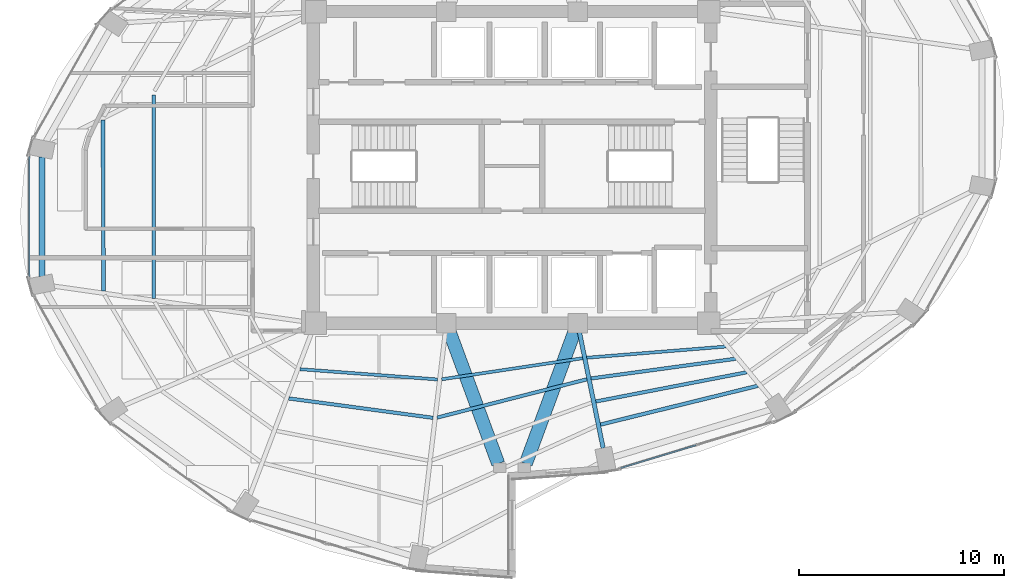
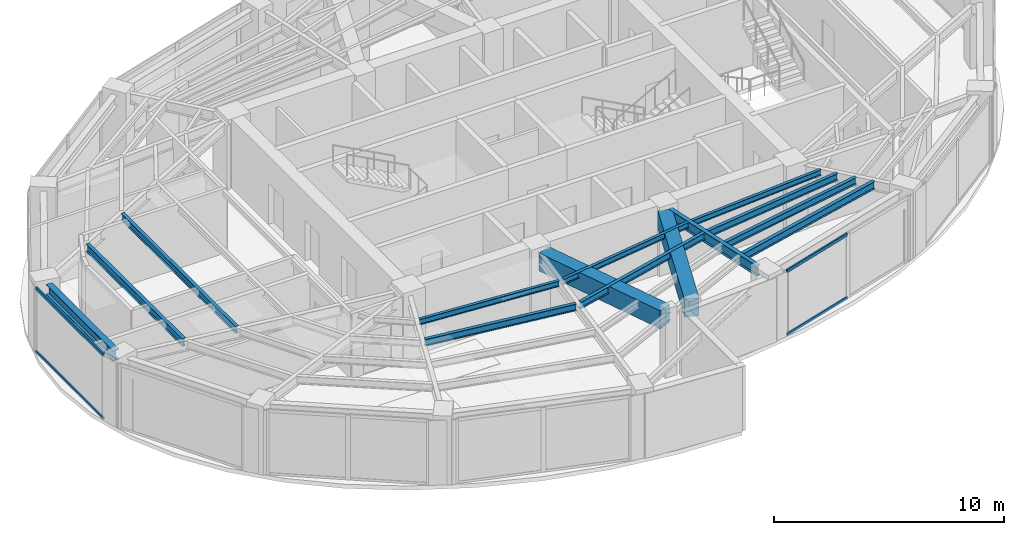
# One storey, part 5 of 20: 14 beams, 4 members, 2 elements without a shape of their own.
"""IFC4 building model written with IfcOpenShell, lengths in metres."""

from ifc_helpers import new_model, si_unit, direction, frame, origin, origin_2d, place, context, subcontext, project, spatial, rectangle, hollow_rectangle, i_section, extrude, material, layer, layer_set, material_profile, profile_set, type_object, element, aggregate, save


model = new_model("IFC4")

# Units and contexts
model_context = context("Model", 3, precision=1e-05, world=origin(), true_north=direction((0.0, 1.0)))
body_context = subcontext(model_context, "Body", "Model", "MODEL_VIEW")
ifc_project = project(units=[si_unit("LENGTHUNIT", "METRE"), si_unit("AREAUNIT", "SQUARE_METRE"), si_unit("VOLUMEUNIT", "CUBIC_METRE"), si_unit("PLANEANGLEUNIT", "RADIAN"), si_unit("MASSUNIT", "GRAM", prefix="KILO")], contexts=[model_context])

# Site, building, storey
site_placement = place(None, origin())
site = spatial("IfcSite", under=ifc_project, at=site_placement, CompositionType="ELEMENT")
building_placement = place(site_placement, origin())
building = spatial("IfcBuilding", under=site, at=building_placement, Name="Lazwardi Medical Tower", CompositionType="ELEMENT")
storey_placement = place(building_placement, frame((0.0, 0.0, 174.76806640625)))
storey = spatial("IfcBuildingStorey", under=building, at=storey_placement, Name="L45", CompositionType="ELEMENT", Elevation=174.76806640625)

# Beams
ifc_material_1 = material(Name="Concrete C60/75", Category="concrete")
ifc_material_profile_1 = material_profile(ifc_material_1, rectangle(XDim=0.64990234375, YDim=0.949951171875, at=origin_2d()), Name="RC 650x950")
ifc_profile_set_1 = profile_set([ifc_material_profile_1], Name="Concrete C60/75")
beam_type_1 = type_object("IfcBeamType", Name="BM-CB-RC2", PredefinedType="LINTEL", material=ifc_profile_set_1)
for number, where, z_axis, x_axis, name in (
    (1, (32.959228515625, 19.968505859375, 2.952880859375), (0.34601281054, -0.938229787921, 0.0), (0.938229787921, 0.34601281054, 0.0), "Core coupling lintel CB-02 PL3 L45"),
    (2, (39.040771484375, 19.968505859375, 2.952880859375), (-0.34601281054, -0.938229787921, 0.0), (0.938229787921, -0.34601281054, 0.0), "Core coupling lintel CB-02 PL4 L45"),
):
    element("IfcBeam", number, at=place(storey_placement, frame(where, z_axis=z_axis, x_axis=x_axis)), inside=storey, type_object=beam_type_1, Name=name, PredefinedType="LINTEL", context=body_context, shape_type="SweptSolid", body=[
        extrude(rectangle(XDim=0.64990234375, YDim=0.949951171875, at=origin_2d()), origin(), (0.0, 0.0, 1.0), 6.84423828125),
    ])
ifc_material_2 = material(Name="Steel S355", Category="steel")
ifc_material_profile_2 = material_profile(ifc_material_2, i_section(OverallWidth=0.300048828125, OverallDepth=0.550048828125, WebThickness=0.014892578125, FlangeThickness=0.029052734375, at=origin_2d()), Name="HEB 550")
ifc_profile_set_2 = profile_set([ifc_material_profile_2], Name="Steel S355")
beam_type_2 = type_object("IfcBeamType", Name="BM-RB-Z3", PredefinedType="BEAM", material=ifc_profile_set_2)
beam_1_placement = place(storey_placement, frame((13.07421875, 28.51171875, 3.15283203125), z_axis=(0.0, -1.0, 0.0), x_axis=(1.0, 0.0, 0.0)))
element("IfcBeam", 3, at=beam_1_placement, inside=storey, type_object=beam_type_2, Name="Ring beam RB-04 B12 L45", PredefinedType="BEAM", context=body_context, shape_type="SweptSolid", body=[
    extrude(i_section(OverallWidth=0.300048828125, OverallDepth=0.550048828125, WebThickness=0.014892578125, FlangeThickness=0.029052734375, at=origin_2d()), origin(), (0.0, 0.0, 1.0), 5.823486328125),
])
ifc_material_profile_3 = material_profile(ifc_material_2, i_section(OverallWidth=0.2099609375, OverallDepth=0.550048828125, WebThickness=0.010986328125, FlangeThickness=0.01708984375, at=origin_2d()), Name="IPE 550")
ifc_profile_set_3 = profile_set([ifc_material_profile_3], Name="Steel S355")
beam_type_3 = type_object("IfcBeamType", Name="BM-RG-W2", PredefinedType="BEAM", material=ifc_profile_set_3)
beam_2_placement = place(storey_placement, frame((40.447998046875, 14.2998046875, 3.15283203125), z_axis=(-0.200429485343, 0.979708130723, 0.0), x_axis=(-0.979708130723, -0.200429485343, 0.0)))
element("IfcBeam", 4, at=beam_2_placement, inside=storey, type_object=beam_type_3, Name="Radial girder RG-03 R01 L45", PredefinedType="BEAM", context=body_context, shape_type="SweptSolid", body=[
    extrude(i_section(OverallWidth=0.2099609375, OverallDepth=0.550048828125, WebThickness=0.010986328125, FlangeThickness=0.01708984375, at=origin_2d()), origin(), (0.0, 0.0, 1.0), 5.766357421875),
])
ifc_material_profile_4 = material_profile(ifc_material_2, i_section(OverallWidth=0.179931640625, OverallDepth=0.39990234375, WebThickness=0.008544921875, FlangeThickness=0.013427734375, at=origin_2d()), Name="IPE 400")
ifc_profile_set_4 = profile_set([ifc_material_profile_4], Name="Steel S355")
beam_type_4 = type_object("IfcBeamType", Name="BM-SJ-01", PredefinedType="JOIST", material=ifc_profile_set_4)
beam_3_placement = place(storey_placement, frame((40.31396484375, 15.45361328125, 3.22802734375), z_axis=(0.970912648168, 0.239433977597, 0.0), x_axis=(-0.239433977597, 0.970912648168, 0.0)))
element("IfcBeam", 5, at=beam_3_placement, inside=storey, type_object=beam_type_4, Name="Secondary joist SJ-01 R1 B01 L45", PredefinedType="JOIST", context=body_context, shape_type="SweptSolid", body=[
    extrude(i_section(OverallWidth=0.179931640625, OverallDepth=0.39990234375, WebThickness=0.008544921875, FlangeThickness=0.013427734375, at=origin_2d()), origin(), (0.0, 0.0, 1.0), 7.91162109375),
])
beam_4_placement = place(storey_placement, frame((16.04443359375, 30.30224609375, 3.22802734375), z_axis=(0.003864366017, -0.99999253331, 0.0), x_axis=(0.99999253331, 0.003864366017, 0.0)))
element("IfcBeam", 6, at=beam_4_placement, inside=storey, type_object=beam_type_4, Name="Secondary joist SJ-01 R1 B12 L45", PredefinedType="JOIST", context=body_context, shape_type="SweptSolid", body=[
    extrude(i_section(OverallWidth=0.179931640625, OverallDepth=0.39990234375, WebThickness=0.008544921875, FlangeThickness=0.013427734375, at=origin_2d()), origin(), (0.0, 0.0, 1.0), 8.33935546875),
])
ifc_material_profile_5 = material_profile(ifc_material_2, i_section(OverallWidth=0.169921875, OverallDepth=0.360107421875, WebThickness=0.008056640625, FlangeThickness=0.0126953125, at=origin_2d()), Name="IPE 360")
ifc_profile_set_5 = profile_set([ifc_material_profile_5], Name="Steel S355")
beam_type_5 = type_object("IfcBeamType", Name="BM-SJ-02", PredefinedType="JOIST", material=ifc_profile_set_5)
beam_5_placement = place(storey_placement, frame((40.083984375, 16.57861328125, 3.248046875), z_axis=(0.981753035865, 0.190160396953, 0.0), x_axis=(-0.190160396953, 0.981753035865, 0.0)))
element("IfcBeam", 7, at=beam_5_placement, inside=storey, type_object=beam_type_5, Name="Secondary joist SJ-02 R2 B01 L45", PredefinedType="JOIST", context=body_context, shape_type="SweptSolid", body=[
    extrude(i_section(OverallWidth=0.169921875, OverallDepth=0.360107421875, WebThickness=0.008056640625, FlangeThickness=0.0126953125, at=origin_2d()), origin(), (0.0, 0.0, 1.0), 7.50927734375),
])
beam_6_placement = place(storey_placement, frame((18.513671875, 31.541748046875, 3.248046875), z_axis=(0.001156040156, -0.999999331785, 0.0), x_axis=(0.999999331785, 0.001156040156, 0.0)))
element("IfcBeam", 8, at=beam_6_placement, inside=storey, type_object=beam_type_5, Name="Secondary joist SJ-02 R2 B12 L45", PredefinedType="JOIST", context=body_context, shape_type="SweptSolid", body=[
    extrude(i_section(OverallWidth=0.169921875, OverallDepth=0.360107421875, WebThickness=0.008056640625, FlangeThickness=0.0126953125, at=origin_2d()), origin(), (0.0, 0.0, 1.0), 9.92578125),
])
beam_7_placement = place(storey_placement, frame((39.853515625, 17.702880859375, 3.248046875), z_axis=(0.990832043476, 0.135099450852, 0.0), x_axis=(-0.135099450852, 0.990832043476, 0.0)))
element("IfcBeam", 9, at=beam_7_placement, inside=storey, type_object=beam_type_5, Name="Secondary joist SJ-02 R3 B01 L45", PredefinedType="JOIST", context=body_context, shape_type="SweptSolid", body=[
    extrude(i_section(OverallWidth=0.169921875, OverallDepth=0.360107421875, WebThickness=0.008056640625, FlangeThickness=0.0126953125, at=origin_2d()), origin(), (0.0, 0.0, 1.0), 7.129150390625),
])
beam_8_placement = place(storey_placement, frame((25.110107421875, 16.730224609375, 3.248046875), z_axis=(0.991056291961, -0.133444468468, 0.0), x_axis=(0.133444468468, 0.991056291961, 0.0)))
element("IfcBeam", 10, at=beam_8_placement, inside=storey, type_object=beam_type_5, Name="Secondary joist SJ-02 R3 B15 L45", PredefinedType="JOIST", context=body_context, shape_type="SweptSolid", body=[
    extrude(i_section(OverallWidth=0.169921875, OverallDepth=0.360107421875, WebThickness=0.008056640625, FlangeThickness=0.0126953125, at=origin_2d()), origin(), (0.0, 0.0, 1.0), 7.10400390625),
])
beam_9_placement = place(storey_placement, frame((32.3466796875, 15.793701171875, 3.248046875), z_axis=(0.96877632572, 0.247936344097, 0.0), x_axis=(-0.247936344097, 0.96877632572, 0.0)))
element("IfcBeam", 11, at=beam_9_placement, inside=storey, type_object=beam_type_5, Name="Secondary joist SJ-02 R3 B16 L45", PredefinedType="JOIST", context=body_context, shape_type="SweptSolid", body=[
    extrude(i_section(OverallWidth=0.169921875, OverallDepth=0.360107421875, WebThickness=0.008056640625, FlangeThickness=0.0126953125, at=origin_2d()), origin(), (0.0, 0.0, 1.0), 7.546630859375),
])
ifc_material_profile_6 = material_profile(ifc_material_2, i_section(OverallWidth=0.14990234375, OverallDepth=0.300048828125, WebThickness=0.007080078125, FlangeThickness=0.0107421875, at=origin_2d()), Name="IPE 300")
ifc_profile_set_6 = profile_set([ifc_material_profile_6], Name="Steel S355")
beam_type_6 = type_object("IfcBeamType", Name="BM-SJ-03", PredefinedType="JOIST", material=ifc_profile_set_6)
beam_10_placement = place(storey_placement, frame((39.646240234375, 18.71435546875, 3.27783203125), z_axis=(0.996785792338, 0.08011294647, 0.0), x_axis=(-0.08011294647, 0.996785792338, 0.0)))
element("IfcBeam", 12, at=beam_10_placement, inside=storey, type_object=beam_type_6, Name="Secondary joist SJ-03 R4 B01 L45", PredefinedType="JOIST", context=body_context, shape_type="SweptSolid", body=[
    extrude(i_section(OverallWidth=0.14990234375, OverallDepth=0.300048828125, WebThickness=0.007080078125, FlangeThickness=0.0107421875, at=origin_2d()), origin(), (0.0, 0.0, 1.0), 6.80810546875),
])
beam_11_placement = place(storey_placement, frame((25.650390625, 18.156494140625, 3.27783203125), z_axis=(0.99722699261, -0.074419924822, 0.0), x_axis=(0.074419924822, 0.99722699261, 0.0)))
element("IfcBeam", 13, at=beam_11_placement, inside=storey, type_object=beam_type_6, Name="Secondary joist SJ-03 R4 B15 L45", PredefinedType="JOIST", context=body_context, shape_type="SweptSolid", body=[
    extrude(i_section(OverallWidth=0.14990234375, OverallDepth=0.300048828125, WebThickness=0.007080078125, FlangeThickness=0.0107421875, at=origin_2d()), origin(), (0.0, 0.0, 1.0), 6.74169921875),
])
beam_12_placement = place(storey_placement, frame((32.57177734375, 17.662109375, 3.27783203125), z_axis=(0.98897469849, 0.148084589835, 0.0), x_axis=(-0.148084589835, 0.98897469849, 0.0)))
element("IfcBeam", 14, at=beam_12_placement, inside=storey, type_object=beam_type_6, Name="Secondary joist SJ-03 R4 B16 L45", PredefinedType="JOIST", context=body_context, shape_type="SweptSolid", body=[
    extrude(i_section(OverallWidth=0.14990234375, OverallDepth=0.300048828125, WebThickness=0.007080078125, FlangeThickness=0.0107421875, at=origin_2d()), origin(), (0.0, 0.0, 1.0), 6.952392578125),
])

# Curtain wall, members
ifc_material_3 = material(Name="Anodised bronze aluminium and solar control glazing", Category="aluminium")
ifc_layer = layer(ifc_material_3, 0.195068359375)
ifc_layer_set = layer_set([ifc_layer], Name="Anodised bronze aluminium and solar control glazing")
curtain_wall_type = type_object("IfcCurtainWallType", Name="CW-SYS-03", PredefinedType="NOTDEFINED", material=ifc_layer_set)
curtain_wall_1_placement = place(storey_placement, origin())
curtain_wall_1 = element("IfcCurtainWall", 15, at=curtain_wall_1_placement, inside=storey, type_object=curtain_wall_type, Name="L45 Unitised bronze curtain wall CW-03", PredefinedType="NOTDEFINED")
ifc_material_4 = material(Name="Anodised bronze aluminium", Category="aluminium")
ifc_material_profile_7 = material_profile(ifc_material_4, hollow_rectangle(XDim=0.074951171875, YDim=0.159912109375, WallThickness=0.00390625, at=origin_2d()), Name="ALU-TRANSOM 160x75x4")
ifc_profile_set_7 = profile_set([ifc_material_profile_7], Name="Anodised bronze aluminium")
member_type = type_object("IfcMemberType", Name="CW-TRN-01", PredefinedType="USERDEFINED", material=ifc_profile_set_7)
member_1_placement = place(storey_placement, frame((41.307861328125, 13.336669921875, 0.037353515625), z_axis=(0.956935517424, 0.290300560612, 0.0), x_axis=(-0.290300560612, 0.956935517424, 0.0)))
member_1 = element("IfcMember", 16, at=member_1_placement, type_object=member_type, Name="CW-03 transom 1.1", ObjectType="TRANSOM", PredefinedType="USERDEFINED", context=body_context, shape_type="SweptSolid", body=[
    extrude(hollow_rectangle(XDim=0.074951171875, YDim=0.159912109375, WallThickness=0.00390625, at=origin_2d()), origin(), (0.0, 0.0, 1.0), 3.836669921875),
])
member_2_placement = place(storey_placement, frame((41.307861328125, 13.336669921875, 3.390380859375), z_axis=(0.956935517424, 0.290300560612, 0.0), x_axis=(-0.290300560612, 0.956935517424, 0.0)))
member_2 = element("IfcMember", 17, at=member_2_placement, type_object=member_type, Name="CW-03 transom 1.2", ObjectType="TRANSOM", PredefinedType="USERDEFINED", context=body_context, shape_type="SweptSolid", body=[
    extrude(hollow_rectangle(XDim=0.074951171875, YDim=0.159912109375, WallThickness=0.00390625, at=origin_2d()), origin(), (0.0, 0.0, 1.0), 3.836669921875),
])
aggregate(curtain_wall_1, [member_1, member_2])

curtain_wall_2_placement = place(storey_placement, origin())
curtain_wall_2 = element("IfcCurtainWall", 18, at=curtain_wall_2_placement, inside=storey, type_object=curtain_wall_type, Name="L45 Unitised bronze curtain wall CW-03", PredefinedType="NOTDEFINED")
member_3_placement = place(storey_placement, frame((12.4423828125, 28.5205078125, 0.037353515625), z_axis=(0.0, -1.0, 0.0), x_axis=(1.0, 0.0, 0.0)))
member_3 = element("IfcMember", 19, at=member_3_placement, type_object=member_type, Name="CW-03 transom 1.1", ObjectType="TRANSOM", PredefinedType="USERDEFINED", context=body_context, shape_type="SweptSolid", body=[
    extrude(hollow_rectangle(XDim=0.074951171875, YDim=0.159912109375, WallThickness=0.00390625, at=origin_2d()), origin(), (0.0, 0.0, 1.0), 5.8408203125),
])
member_4_placement = place(storey_placement, frame((12.4423828125, 28.5205078125, 3.390380859375), z_axis=(0.0, -1.0, 0.0), x_axis=(1.0, 0.0, 0.0)))
member_4 = element("IfcMember", 20, at=member_4_placement, type_object=member_type, Name="CW-03 transom 1.2", ObjectType="TRANSOM", PredefinedType="USERDEFINED", context=body_context, shape_type="SweptSolid", body=[
    extrude(hollow_rectangle(XDim=0.074951171875, YDim=0.159912109375, WallThickness=0.00390625, at=origin_2d()), origin(), (0.0, 0.0, 1.0), 5.8408203125),
])
aggregate(curtain_wall_2, [member_3, member_4])

save(model, "model.ifc")
